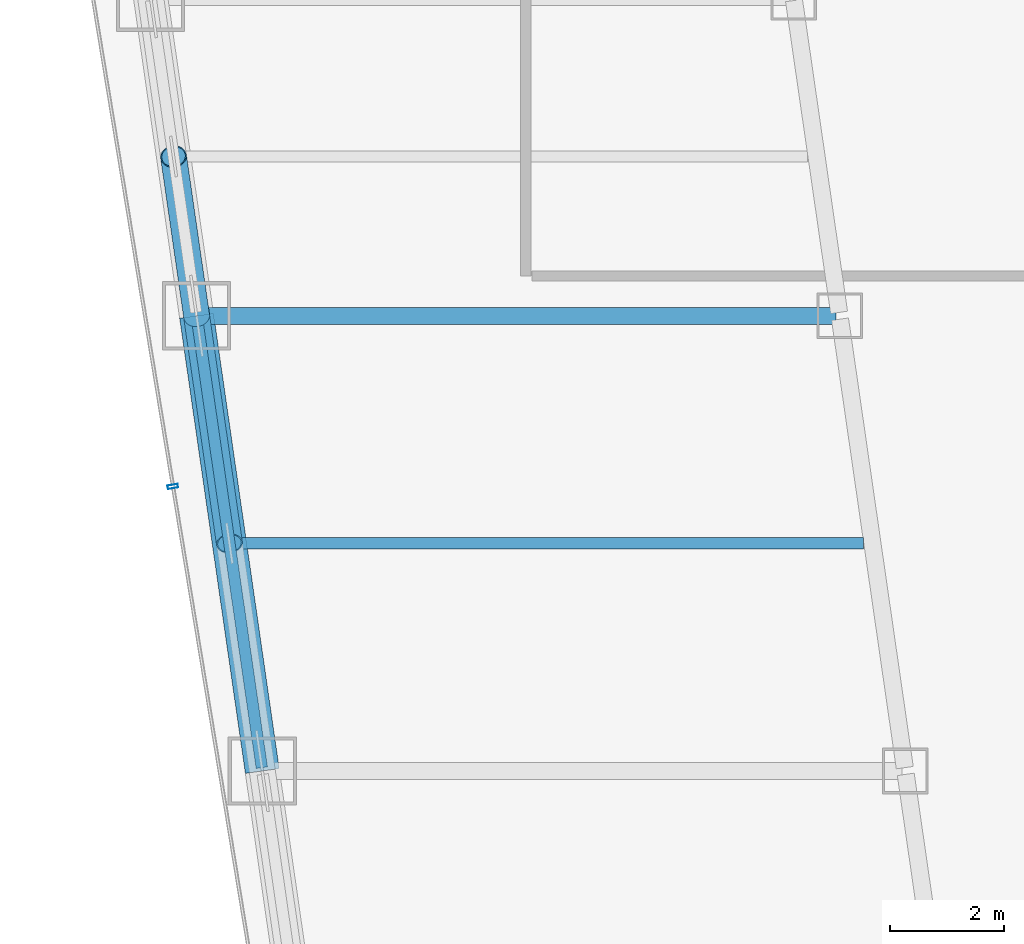
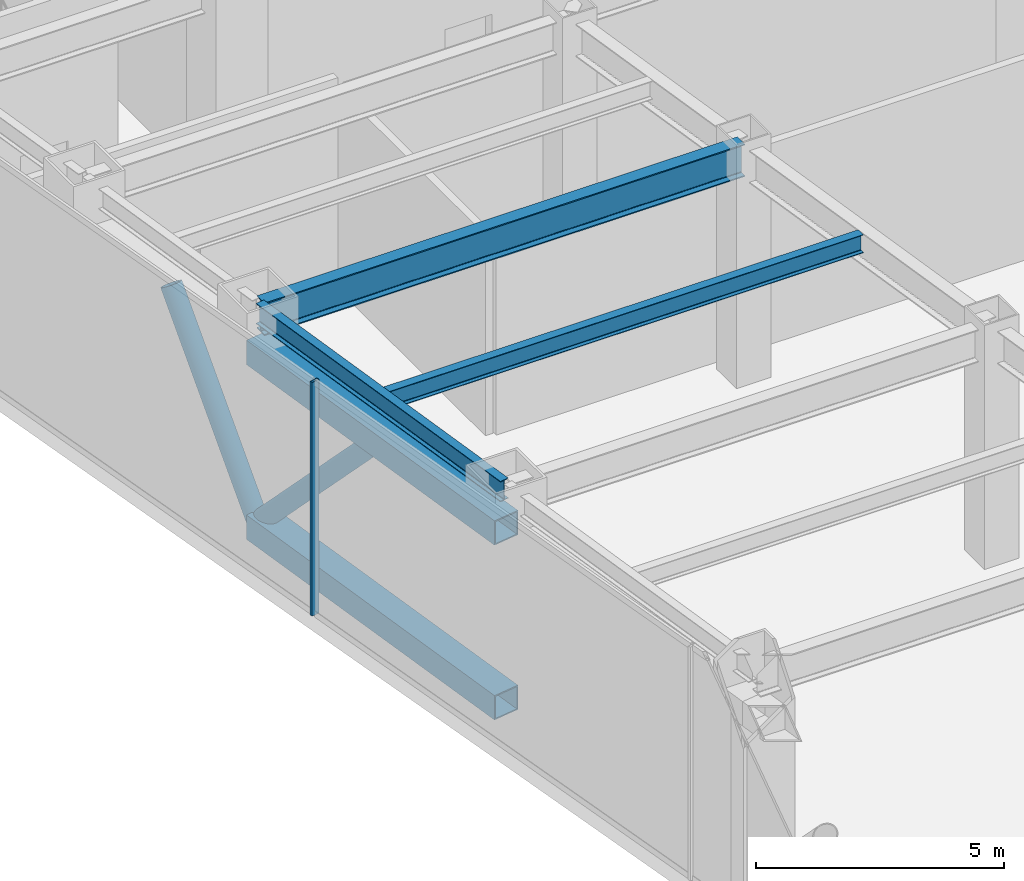
# One storey, part 11 of 35: 5 members, 3 beams, 1 element without a shape of its own.
"""IFC4 building model written with IfcOpenShell, lengths in metres."""

from ifc_helpers import new_model, si_unit, direction, frame, origin, origin_2d, place, context, subcontext, project, spatial, hollow_rectangle, hollow_circle, i_section, extrude, material, material_profile, profile_set, type_object, element, aggregate, save


model = new_model("IFC4")

# Units and contexts
model_context = context("Model", 3, precision=1e-05, world=origin(), true_north=direction((0.0, 1.0)))
body_context = subcontext(model_context, "Body", "Model", "MODEL_VIEW")
ifc_project = project(units=[si_unit("LENGTHUNIT", "METRE"), si_unit("AREAUNIT", "SQUARE_METRE"), si_unit("VOLUMEUNIT", "CUBIC_METRE"), si_unit("PLANEANGLEUNIT", "RADIAN"), si_unit("MASSUNIT", "GRAM", prefix="KILO")], contexts=[model_context])

# Site, building, storey
site_placement = place(None, origin())
site = spatial("IfcSite", under=ifc_project, at=site_placement, CompositionType="ELEMENT")
building_placement = place(site_placement, origin())
building = spatial("IfcBuilding", under=site, at=building_placement, Name="Saevonmaru Cultural Tower", CompositionType="ELEMENT")
storey_placement = place(building_placement, frame((0.0, 0.0, 86.800048828125)))
storey = spatial("IfcBuildingStorey", under=building, at=storey_placement, Name="L18", CompositionType="ELEMENT", Elevation=86.800048828125)

# Beams
ifc_material_1 = material(Name="Steel SM420", Category="steel")
ifc_material_profile_1 = material_profile(ifc_material_1, i_section(OverallWidth=0.300048828125, OverallDepth=0.800048828125, WebThickness=0.013916015625, FlangeThickness=0.02587890625, FilletRadius=0.028076171875, at=origin_2d()), Name="H-800x300x14x26")
ifc_profile_set_1 = profile_set([ifc_material_profile_1], Name="Steel SM420")
beam_type_1 = type_object("IfcBeamType", Name="BM-G-H800", PredefinedType="BEAM", material=ifc_profile_set_1)
beam_1_placement = place(storey_placement, frame((8.376953125, 32.0, 5.349853515625), z_axis=(1.0, 0.0, 0.0), x_axis=(0.0, 1.0, 0.0)))
element("IfcBeam", 1, at=beam_1_placement, inside=storey, type_object=beam_type_1, Name="L18 West Wing Transverse Girder 5", PredefinedType="BEAM", context=body_context, shape_type="SweptSolid", body=[
    extrude(i_section(OverallWidth=0.300048828125, OverallDepth=0.800048828125, WebThickness=0.013916015625, FlangeThickness=0.02587890625, FilletRadius=0.028076171875, at=origin_2d()), origin(), (0.0, 0.0, 1.0), 11.179931640625),
])
ifc_material_2 = material(Name="Steel SM355", Category="steel")
ifc_material_profile_2 = material_profile(ifc_material_2, i_section(OverallWidth=0.199951171875, OverallDepth=0.449951171875, WebThickness=0.009033203125, FlangeThickness=0.013916015625, FilletRadius=0.01806640625, at=origin_2d()), Name="H-450x200x9x14")
ifc_profile_set_2 = profile_set([ifc_material_profile_2], Name="Steel SM355")
beam_type_2 = type_object("IfcBeamType", Name="BM-J-H450", PredefinedType="JOIST", material=ifc_profile_set_2)
beam_2_placement = place(storey_placement, frame((8.95458984375, 28.0, 5.52490234375), z_axis=(1.0, 0.0, 0.0), x_axis=(0.0, 1.0, 0.0)))
element("IfcBeam", 2, at=beam_2_placement, inside=storey, type_object=beam_type_2, Name="L18 West Wing Floor Joist 4", PredefinedType="JOIST", context=body_context, shape_type="SweptSolid", body=[
    extrude(i_section(OverallWidth=0.199951171875, OverallDepth=0.449951171875, WebThickness=0.009033203125, FlangeThickness=0.013916015625, FilletRadius=0.01806640625, at=origin_2d()), origin(), (0.0, 0.0, 1.0), 11.08203125),
])
ifc_material_profile_3 = material_profile(ifc_material_2, i_section(OverallWidth=0.199951171875, OverallDepth=0.5, WebThickness=0.010009765625, FlangeThickness=0.01611328125, FilletRadius=0.02001953125, at=origin_2d()), Name="H-500x200x10x16")
ifc_profile_set_3 = profile_set([ifc_material_profile_3], Name="Steel SM355")
beam_type_3 = type_object("IfcBeamType", Name="BM-SP-H500", PredefinedType="SPANDREL", material=ifc_profile_set_3)
beam_3_placement = place(storey_placement, frame((9.46337890625, 24.059326171875, 5.5), z_axis=(-0.142871999001, 0.989741174197, 0.0), x_axis=(-0.989741174197, -0.142871999001, 0.0)))
element("IfcBeam", 3, at=beam_3_placement, inside=storey, type_object=beam_type_3, Name="L18 West Splayed Spandrel 4", PredefinedType="SPANDREL", context=body_context, shape_type="SweptSolid", body=[
    extrude(i_section(OverallWidth=0.199951171875, OverallDepth=0.5, WebThickness=0.010009765625, FlangeThickness=0.01611328125, FilletRadius=0.02001953125, at=origin_2d()), origin(), (0.0, 0.0, 1.0), 7.963134765625),
])

# Members
ifc_material_profile_4 = material_profile(ifc_material_1, hollow_circle(Radius=0.228515625, WallThickness=0.02001953125, at=origin_2d()), Name="CHS-457.2x20")
ifc_profile_set_4 = profile_set([ifc_material_profile_4], Name="Steel SM420")
member_type_1 = type_object("IfcMemberType", Name="MB-BBR-CHS457", PredefinedType="BRACE", material=ifc_profile_set_4)
member_1_placement = place(storey_placement, frame((8.31689453125, 32.0, 0.300048828125), z_axis=(0.097969630896, -0.677843932686, 0.728649129789), x_axis=(0.989716197255, 0.143044919135, 0.0)))
element("IfcMember", 4, at=member_1_placement, inside=storey, type_object=member_type_1, Name="L18 Belt Truss Diagonal BW4-2", PredefinedType="BRACE", context=body_context, shape_type="SweptSolid", body=[
    extrude(hollow_circle(Radius=0.228515625, WallThickness=0.02001953125, at=origin_2d()), origin(), (0.0, 0.0, 1.0), 5.901123046875),
])
member_2_placement = place(storey_placement, frame((8.31689453125, 32.0, 0.300048828125), z_axis=(-0.078643631415, 0.544007122254, 0.835386994258), x_axis=(-0.989711663089, -0.143076287157, 0.0)))
element("IfcMember", 5, at=member_2_placement, inside=storey, type_object=member_type_1, Name="L18 Belt Truss Diagonal BW5-1", PredefinedType="BRACE", context=body_context, shape_type="SweptSolid", body=[
    extrude(hollow_circle(Radius=0.228515625, WallThickness=0.02001953125, at=origin_2d()), origin(), (0.0, 0.0, 1.0), 5.14697265625),
])
ifc_material_profile_5 = material_profile(ifc_material_1, hollow_rectangle(XDim=0.60009765625, YDim=0.60009765625, WallThickness=0.028076171875, at=origin_2d()), Name="BOX-600x600x28")
ifc_profile_set_5 = profile_set([ifc_material_profile_5], Name="Steel SM420")
member_type_2 = type_object("IfcMemberType", Name="MB-BCH-BOX600", PredefinedType="CHORD", material=ifc_profile_set_5)
for number, where, z_axis, x_axis, name in (
    (6, (9.471923828125, 24.0, 0.300048828125), (-0.142896985758, 0.989737566965, 0.0), (-0.989737566965, -0.142896985758, 0.0), "L18 Belt Truss Bottom Chord BW4"),
    (7, (9.471923828125, 24.0, 4.599853515625), (-0.142896985758, 0.989737566965, 0.0), (-0.989737566965, -0.142896985758, 0.0), "L18 Belt Truss Top Chord BW4"),
):
    element("IfcMember", number, at=place(storey_placement, frame(where, z_axis=z_axis, x_axis=x_axis)), inside=storey, type_object=member_type_2, Name=name, PredefinedType="CHORD", context=body_context, shape_type="SweptSolid", body=[
        extrude(hollow_rectangle(XDim=0.60009765625, YDim=0.60009765625, WallThickness=0.028076171875, at=origin_2d()), origin(), (0.0, 0.0, 1.0), 8.0830078125),
    ])

# Curtain wall, member
ifc_material_3 = material(Name="Satin Bronze Anodised Aluminium", Category="aluminium")
curtain_wall_type = type_object("IfcCurtainWallType", Name="CW-TYP-A", PredefinedType="NOTDEFINED", material=ifc_material_3)
curtain_wall_placement = place(storey_placement, origin())
curtain_wall = element("IfcCurtainWall", 8, at=curtain_wall_placement, inside=storey, type_object=curtain_wall_type, Name="L18 Wind-Floor Acoustic Louvre Screen E12", PredefinedType="NOTDEFINED")
ifc_material_profile_6 = material_profile(ifc_material_3, hollow_rectangle(XDim=0.06494140625, YDim=0.179931640625, WallThickness=0.00390625, at=origin_2d()), Name="ALU-MULL-180x65x4")
ifc_profile_set_6 = profile_set([ifc_material_profile_6], Name="Satin Bronze Anodised Aluminium")
member_type_3 = type_object("IfcMemberType", Name="ML-CW-180x65", PredefinedType="MULLION", material=ifc_profile_set_6)
member_3_placement = place(storey_placement, frame((7.89990234375, 29.0, 0.0), z_axis=(0.0, 0.0, 1.0), x_axis=(0.161708868641, -0.986838508472, 0.0)))
member_3 = element("IfcMember", 9, at=member_3_placement, type_object=member_type_3, Name="CW-TW-L18-E12 mullion 3", PredefinedType="MULLION", context=body_context, shape_type="SweptSolid", body=[
    extrude(hollow_rectangle(XDim=0.06494140625, YDim=0.179931640625, WallThickness=0.00390625, at=origin_2d()), origin(), (0.0, 0.0, 1.0), 5.75),
])
aggregate(curtain_wall, [member_3])

save(model, "model.ifc")
